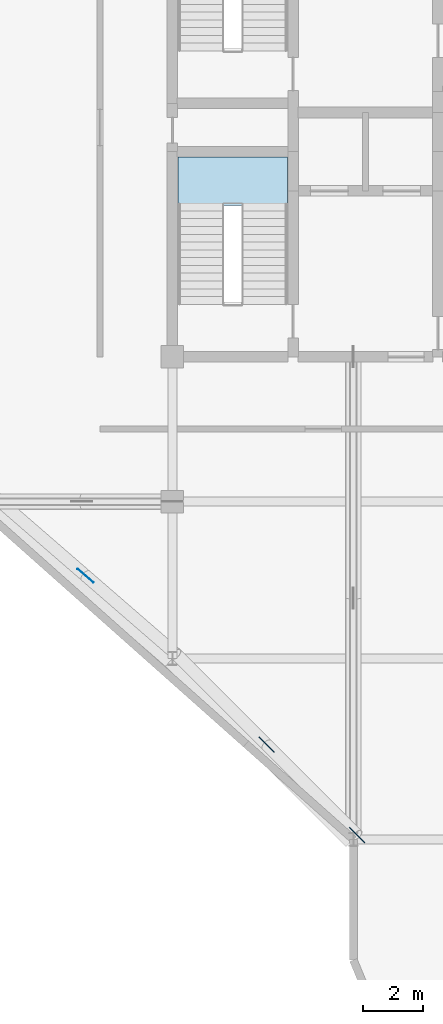
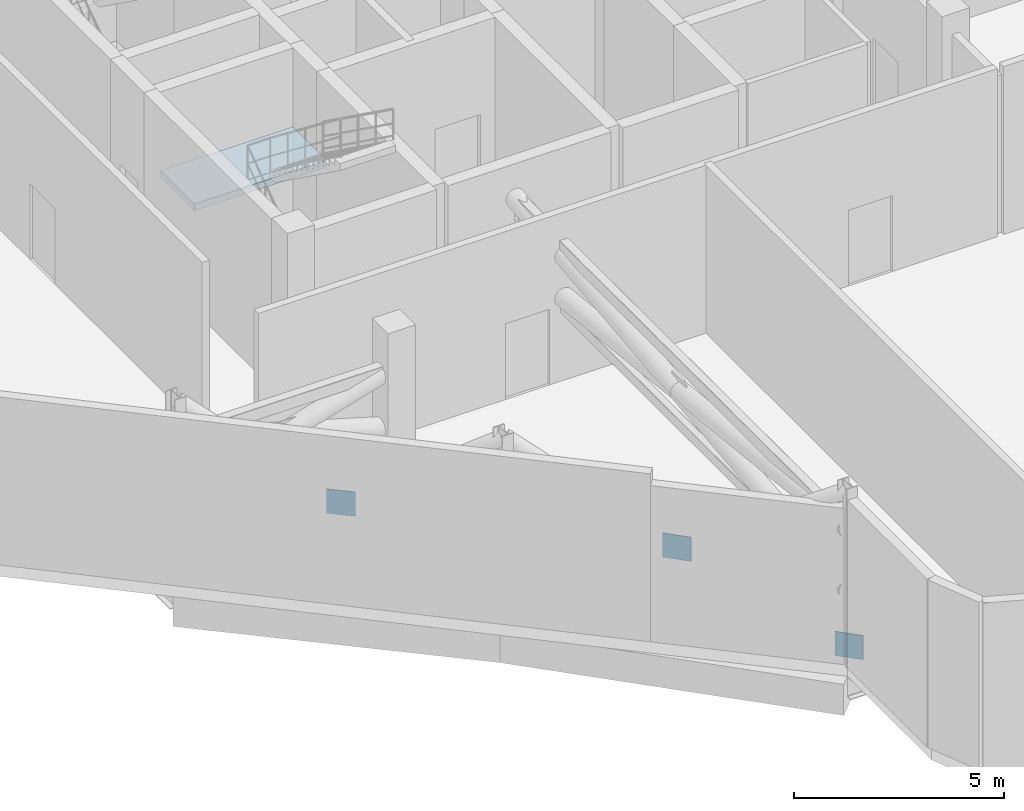
# One storey, part 6 of 12: 3 plates, 1 slab, 1 element without a shape of its own.
"""IFC4 building model written with IfcOpenShell, lengths in metres."""

from ifc_helpers import new_model, si_unit, direction, frame, origin, origin_2d, place, context, subcontext, project, spatial, polyline, rectangle, outline, extrude, material, layer, layer_set, type_object, element, aggregate, save


model = new_model("IFC4")

# Units and contexts
model_context = context("Model", 3, precision=1e-05, world=origin(), true_north=direction((0.0, 1.0)))
body_context = subcontext(model_context, "Body", "Model", "MODEL_VIEW")
ifc_project = project(units=[si_unit("LENGTHUNIT", "METRE"), si_unit("AREAUNIT", "SQUARE_METRE"), si_unit("VOLUMEUNIT", "CUBIC_METRE"), si_unit("PLANEANGLEUNIT", "RADIAN"), si_unit("MASSUNIT", "GRAM", prefix="KILO")], contexts=[model_context])

# Site, building, storey
site_placement = place(None, origin())
site = spatial("IfcSite", under=ifc_project, at=site_placement, CompositionType="ELEMENT")
building_placement = place(site_placement, origin())
building = spatial("IfcBuilding", under=site, at=building_placement, Name="Keshet Zoharim Tower", CompositionType="ELEMENT")
storey_placement = place(building_placement, frame((0.0, 0.0, 237.60009765625)))
storey = spatial("IfcBuildingStorey", under=building, at=storey_placement, Name="L59", CompositionType="ELEMENT", Elevation=237.60009765625)

# Plates
ifc_material_1 = material(Name="Steel S355", Category="steel")
ifc_layer_1 = layer(ifc_material_1, 0.02490234375)
ifc_layer_set_1 = layer_set([ifc_layer_1], Name="Steel S355")
plate_type = type_object("IfcPlateType", Name="PL-GUS-25", PredefinedType="SHEET", material=ifc_layer_set_1)
for number, where, z_axis, x_axis, name in (
    (1, (18.1259765625, 9.842041015625, 2.08984375), (0.0, 0.0, 1.0), (-0.707106781187, 0.707106781187, 0.0), "L59 Belt Truss X-Crossing Gusset 08"),
    (2, (21.1259765625, 6.842041015625, 0.0), (0.0, 0.0, 1.0), (-0.707106781187, 0.707106781187, 0.0), "L59 Belt Truss Node Gusset 08"),
    (3, (12.1259765625, 15.44189453125, 2.08984375), (0.0, 0.0, 1.0), (-0.75568908279, 0.654930538418, 0.0), "L59 Belt Truss X-Crossing Gusset 09"),
):
    element("IfcPlate", number, at=place(storey_placement, frame(where, z_axis=z_axis, x_axis=x_axis)), inside=storey, type_object=plate_type, Name=name, PredefinedType="SHEET", context=body_context, shape_type="SweptSolid", body=[
        extrude(rectangle(XDim=0.699951171875, YDim=0.02490234375, at=origin_2d()), origin(), (0.0, 0.0, 1.0), 0.699951171875),
    ])

# Stair, slab
ifc_material_2 = material(Name="Concrete C50/60", Category="concrete")
stair_type = type_object("IfcStairType", Name="STR-EXIT-135", PredefinedType="HALF_TURN_STAIR", material=ifc_material_2)
stair_placement = place(storey_placement, origin())
stair = element("IfcStair", 4, at=stair_placement, inside=storey, type_object=stair_type, Name="L59 Enclosed Exit Stair ST-01", PredefinedType="HALF_TURN_STAIR")
ifc_layer_2 = layer(ifc_material_2, 0.199951171875)
ifc_layer_set_2 = layer_set([ifc_layer_2], Name="Concrete C50/60")
slab_type = type_object("IfcSlabType", Name="SLB-LND-200", PredefinedType="LANDING", material=ifc_layer_set_2)
slab_placement = place(storey_placement, frame((0.0, 0.0, 2.39990234375)))
slab = element("IfcSlab", 5, at=slab_placement, type_object=slab_type, Name="ST-01 landing 1", PredefinedType="LANDING", context=body_context, shape_type="SweptSolid", body=[
    extrude(outline(polyline([(15.179931640625, 27.714111328125), (18.820068359375, 27.714111328125), (18.820068359375, 29.320068359375), (15.179931640625, 29.320068359375), (15.179931640625, 27.714111328125)])), origin(), (0.0, 0.0, 1.0), 0.199951171875),
])
aggregate(stair, [slab])

save(model, "model.ifc")
